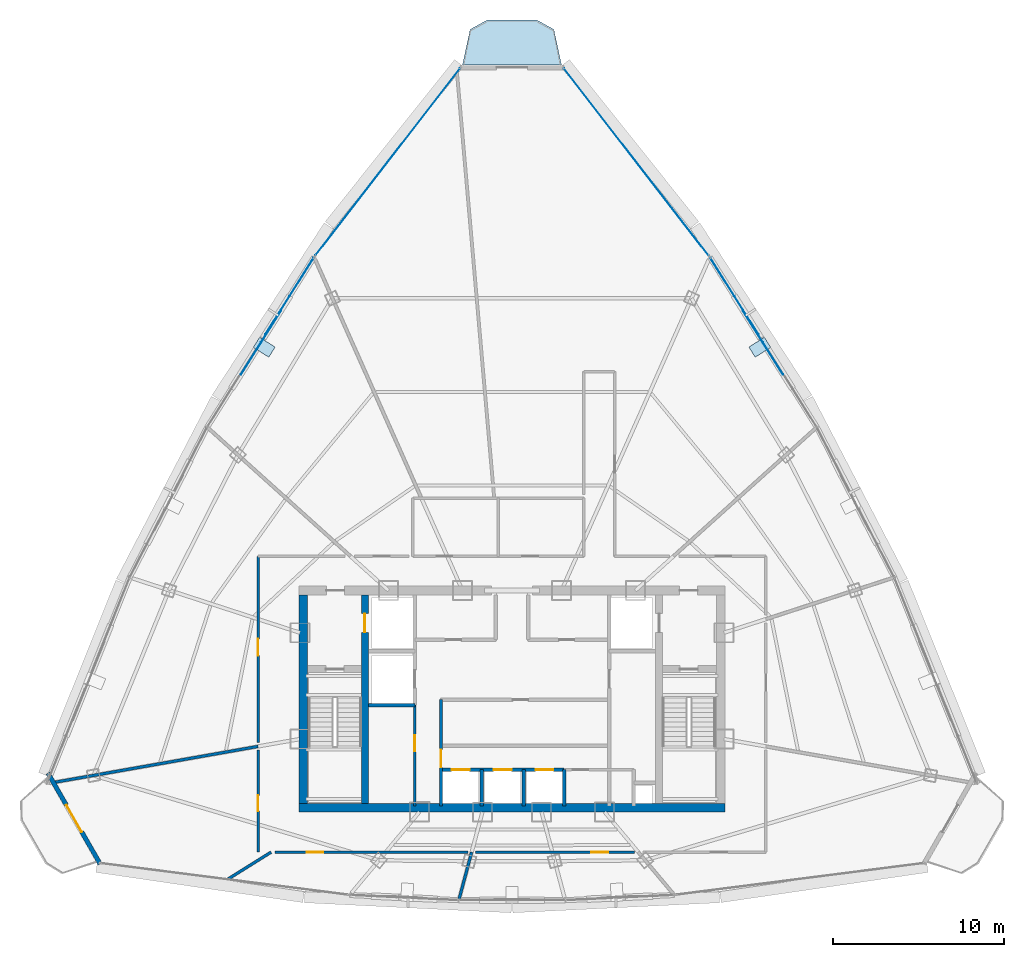
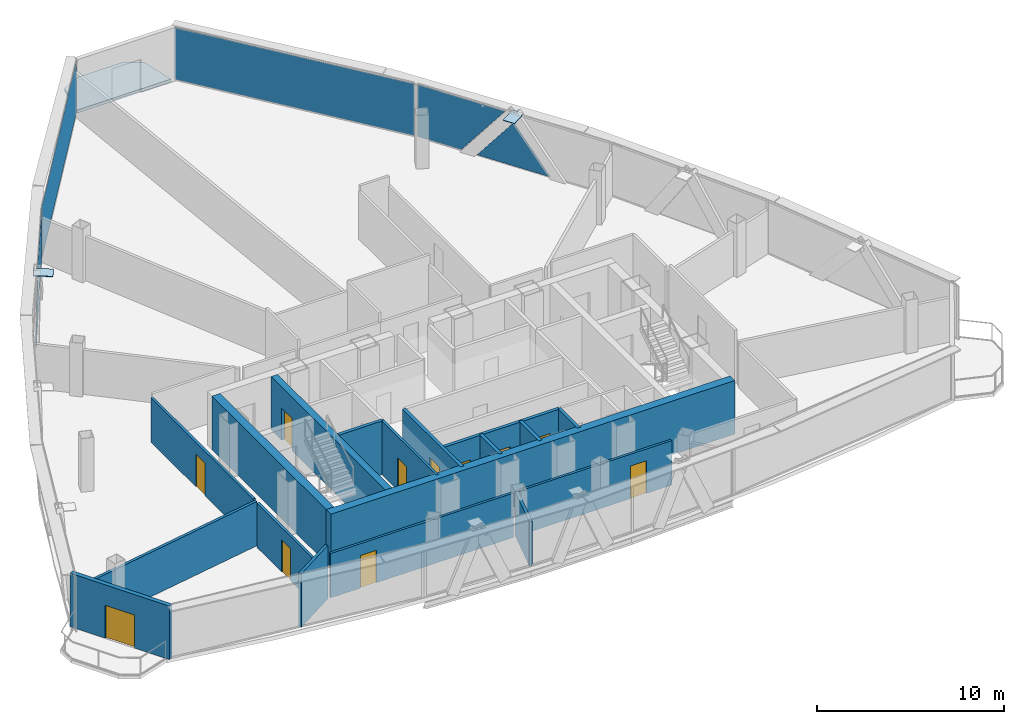
# One storey, part 25 of 30: 18 walls, 11 doors, 8 plates, 1 slab, 11 openings, 4 elements without a shape of their own.
"""IFC4 building model written with IfcOpenShell, lengths in metres."""

import ifcopenshell
import ifcopenshell.guid

model = None  # the IFC model being written
_history = None  # IfcOwnerHistory: only IFC2X3 demands one
_inside = {}  # id of a spatial element -> (the spatial element, [elements in it])
_under = {}  # id of a project, library or spatial element -> (it, [spatial elements below it])
_declared = {}  # id of a project -> (the project, [libraries it declares])
_typed = {}  # id of a type object -> (the type object, [elements of that type])
_made_of = {}  # id of a material, layer set ... -> (it, [elements and type objects made of it])


def new_model(schema):
    """Start an empty IFC model of exactly this schema.

    Asked for "IFC4X3", IfcOpenShell would pick the latest addendum, in which some entities
    have other attributes; the version numbers below select the first issue.
    IFC2X3 requires an IfcOwnerHistory on every rooted entity: one is made here for all.
    """
    global model, _history
    if schema == "IFC4X3":
        model = ifcopenshell.file(schema_version=(4, 3, 0, 0))
    else:
        model = ifcopenshell.file(schema=schema)
    _inside.clear()
    _under.clear()
    _declared.clear()
    _typed.clear()
    _made_of.clear()
    _history = None
    if model.schema == "IFC2X3":
        org = make("IfcOrganization", Name="unknown")
        user = make(
            "IfcPersonAndOrganization",
            ThePerson=make("IfcPerson", FamilyName="unknown"),
            TheOrganization=org,
        )
        app = make(
            "IfcApplication",
            ApplicationDeveloper=org,
            Version="unknown",
            ApplicationFullName="unknown",
            ApplicationIdentifier="unknown",
        )
        _history = make(
            "IfcOwnerHistory",
            OwningUser=user,
            OwningApplication=app,
            ChangeAction="ADDED",
            CreationDate=0,
        )
    return model


def make(cls, **values):
    """One entity of the class cls with the attributes given. An attribute that is None is left unset."""
    return model.create_entity(
        cls, **{name: value for name, value in values.items() if value is not None}
    )


def rooted(cls, **values):
    """An entity with a GlobalId (a new one), such as an element, a storey or a relation."""
    return make(cls, GlobalId=ifcopenshell.guid.new(), OwnerHistory=_history, **values)


def si_unit(unit_type, name, prefix=None):
    """IfcSIUnit, for example si_unit("LENGTHUNIT", "METRE", prefix="MILLI")."""
    return make("IfcSIUnit", UnitType=unit_type, Prefix=prefix, Name=name)


def assignment(units):
    """IfcUnitAssignment: the units of a project."""
    return None if units is None else make("IfcUnitAssignment", Units=units)


def point(xyz):
    """IfcCartesianPoint."""
    return None if xyz is None else make("IfcCartesianPoint", Coordinates=xyz)


def direction(xyz):
    """IfcDirection."""
    return None if xyz is None else make("IfcDirection", DirectionRatios=xyz)


def frame(location, z_axis=None, x_axis=None):
    """IfcAxis2Placement3D, a coordinate frame: its origin and axes. An axis left out is left unset."""
    return make(
        "IfcAxis2Placement3D",
        Location=point(location),
        Axis=direction(z_axis),
        RefDirection=direction(x_axis),
    )


def frame_2d(location, x_axis=None):
    """IfcAxis2Placement2D, a coordinate frame in the plane: its origin and x axis."""
    return make(
        "IfcAxis2Placement2D", Location=point(location), RefDirection=direction(x_axis)
    )


def origin():
    """The frame at (0, 0, 0) with its axes left unset."""
    return frame((0.0, 0.0, 0.0))


def origin_with_axes():
    """The frame at (0, 0, 0) with the z axis (0, 0, 1) and the x axis (1, 0, 0) written out."""
    return frame((0.0, 0.0, 0.0), z_axis=(0.0, 0.0, 1.0), x_axis=(1.0, 0.0, 0.0))


def origin_2d():
    """The frame at (0, 0) in the plane with its x axis left unset."""
    return frame_2d((0.0, 0.0))


def place(relative_to, where):
    """IfcLocalPlacement: puts the frame where relative to a parent placement (None: the world)."""
    return make(
        "IfcLocalPlacement", PlacementRelTo=relative_to, RelativePlacement=where
    )


def context(
    kind, dimensions, precision=None, world=None, true_north=None, identifier=None
):
    """IfcGeometricRepresentationContext, for example the 3D "Model" context."""
    return make(
        "IfcGeometricRepresentationContext",
        ContextIdentifier=identifier,
        ContextType=kind,
        CoordinateSpaceDimension=dimensions,
        Precision=precision,
        WorldCoordinateSystem=world,
        TrueNorth=true_north,
    )


def subcontext(parent, identifier, kind, view, scale=None):
    """IfcGeometricRepresentationSubContext, for example "Body" below "Model"."""
    return make(
        "IfcGeometricRepresentationSubContext",
        ContextIdentifier=identifier,
        ContextType=kind,
        ParentContext=parent,
        TargetScale=scale,
        TargetView=view,
    )


def project(units=None, contexts=None):
    """IfcProject with its units and contexts."""
    return rooted(
        "IfcProject",
        Name="project",
        RepresentationContexts=contexts,
        UnitsInContext=assignment(units),
    )


def spatial(cls, under=None, at=None, **own):
    """A site, building, storey or space (cls), placed at a placement, below another one or the project."""
    s = rooted(cls, ObjectPlacement=at, **own)
    if under is not None:
        _under.setdefault(under.id(), (under, []))[1].append(s)
    return s


def polyline(points):
    """IfcPolyline through the points."""
    return make("IfcPolyline", Points=[point(p) for p in points])


def profile(cls, at=None, kind="AREA", **sizes):
    """A parametric profile (cls). Its sizes go by their IFC names, for example OverallWidth=200.0."""
    return make(cls, ProfileType=kind, Position=at, **sizes)


def rectangle(**sizes):
    """IfcRectangleProfileDef."""
    return profile("IfcRectangleProfileDef", **sizes)


def outline(outer, holes=None, kind="AREA"):
    """IfcArbitraryClosedProfileDef: a profile drawn as a closed curve; with holes, ...WithVoids."""
    if holes is None:
        return make("IfcArbitraryClosedProfileDef", ProfileType=kind, OuterCurve=outer)
    return make(
        "IfcArbitraryProfileDefWithVoids",
        ProfileType=kind,
        OuterCurve=outer,
        InnerCurves=holes,
    )


def extrude(swept, where, along, depth):
    """IfcExtrudedAreaSolid: the profile swept, set in the frame where, extruded along a direction by depth."""
    return make(
        "IfcExtrudedAreaSolid",
        SweptArea=swept,
        Position=where,
        ExtrudedDirection=direction(along),
        Depth=depth,
    )


def shape(context_of_items, identifier, shape_type, items):
    """IfcShapeRepresentation: the items that make up one representation, for example the "Body"."""
    return make(
        "IfcShapeRepresentation",
        ContextOfItems=context_of_items,
        RepresentationIdentifier=identifier,
        RepresentationType=shape_type,
        Items=items,
    )


def source(mapping_origin, context_of_items, identifier, shape_type, items):
    """IfcRepresentationMap: a shape defined once, which mapped items show again and again."""
    return make(
        "IfcRepresentationMap",
        MappingOrigin=mapping_origin,
        MappedRepresentation=shape(context_of_items, identifier, shape_type, items),
    )


def transform(
    local_origin,
    x_axis=None,
    y_axis=None,
    z_axis=None,
    scale=None,
    scale2=None,
    scale3=None,
    uniform=True,
):
    """IfcCartesianTransformationOperator3D, or its non-uniform kind. x_axis, y_axis, z_axis: its Axis1, 2, 3."""
    if uniform:
        return make(
            "IfcCartesianTransformationOperator3D",
            Axis1=direction(x_axis),
            Axis2=direction(y_axis),
            LocalOrigin=point(local_origin),
            Scale=scale,
            Axis3=direction(z_axis),
        )
    return make(
        "IfcCartesianTransformationOperator3DnonUniform",
        Axis1=direction(x_axis),
        Axis2=direction(y_axis),
        LocalOrigin=point(local_origin),
        Scale=scale,
        Axis3=direction(z_axis),
        Scale2=scale2,
        Scale3=scale3,
    )


def mapped(mapping_source, mapping_target):
    """IfcMappedItem: shows the shape of a source again, moved by a transform."""
    return make(
        "IfcMappedItem", MappingSource=mapping_source, MappingTarget=mapping_target
    )


def material(Name=None, Category=None):
    """IfcMaterial."""
    return make("IfcMaterial", Name=Name, Category=Category)


def layer(
    of_material, thickness, ventilated=None, Name=None, Category=None, Priority=None
):
    """IfcMaterialLayer: one layer of a wall or slab, of a material (None: an air gap)."""
    return make(
        "IfcMaterialLayer",
        Material=of_material,
        LayerThickness=thickness,
        IsVentilated=ventilated,
        Name=Name,
        Category=Category,
        Priority=Priority,
    )


def layer_set(layers, Name=None):
    """IfcMaterialLayerSet."""
    return make("IfcMaterialLayerSet", MaterialLayers=layers, LayerSetName=Name)


def made_of(thing, what):
    """Note that an element or type object is made of a material, layer set ...; save() writes the relation."""
    if what is not None:
        _made_of.setdefault(what.id(), (what, []))[1].append(thing)
    return thing


def type_object(cls, material=None, **own):
    """A type object (cls), such as IfcWallType, which elements share."""
    return made_of(rooted(cls, **own), material)


def element(
    cls,
    number,
    at=None,
    inside=None,
    cuts=None,
    type_object=None,
    material=None,
    context=None,
    identifier="Body",
    shape_type=None,
    held_by="IfcProductDefinitionShape",
    body=None,
    shapes=None,
    **own,
):
    """One element of the class cls, such as IfcWall. Its Tag is "e" and its number.

    at: its placement. inside: the storey or other place that contains it. cuts: it is an
    opening in that element (IfcRelVoidsElement). A single representation is given by context,
    identifier, shape_type and body (its items); several are given by shapes. held_by: the class
    of the entity that holds the representations. save() writes the other relations.
    """
    e = rooted(cls, Tag="e%d" % number, ObjectPlacement=at, **own)
    if body is not None:
        shapes = [shape(context, identifier, shape_type, body)]
    if shapes is not None:
        e.Representation = make(held_by, Representations=shapes)
    if inside is not None:
        _inside.setdefault(inside.id(), (inside, []))[1].append(e)
    if cuts is not None:
        rooted(
            "IfcRelVoidsElement", RelatingBuildingElement=cuts, RelatedOpeningElement=e
        )
    if type_object is not None:
        _typed.setdefault(type_object.id(), (type_object, []))[1].append(e)
    return made_of(e, material)


def fill(opening, filler):
    """IfcRelFillsElement: the door or window that sits in an opening."""
    return rooted(
        "IfcRelFillsElement",
        RelatingOpeningElement=opening,
        RelatedBuildingElement=filler,
    )


def aggregate(whole, parts):
    """IfcRelAggregates: a whole, such as a stair, and the parts it consists of."""
    return rooted("IfcRelAggregates", RelatingObject=whole, RelatedObjects=parts)


def save(model, path):
    """Write the relations noted so far, then the file.

    IfcRelAggregates (storeys below a building ...), IfcRelContainedInSpatialStructure (elements
    in a storey), IfcRelDefinesByType, IfcRelAssociatesMaterial and IfcRelDeclares: one each for
    every whole, place, type object, material and project.
    """
    for whole, parts in _under.values():
        aggregate(whole, parts)
    for where, things in _inside.values():
        rooted(
            "IfcRelContainedInSpatialStructure",
            RelatedElements=things,
            RelatingStructure=where,
        )
    for kind, things in _typed.values():
        rooted("IfcRelDefinesByType", RelatedObjects=things, RelatingType=kind)
    for what, things in _made_of.values():
        rooted("IfcRelAssociatesMaterial", RelatedObjects=things, RelatingMaterial=what)
    for by, libraries in _declared.values():
        rooted("IfcRelDeclares", RelatingContext=by, RelatedDefinitions=libraries)
    model.write(path)


model = new_model("IFC4")

# Units and contexts
model_context = context("Model", 3, precision=1e-05, world=origin(), true_north=direction((0.0, 1.0)))
body_context = subcontext(model_context, "Body", "Model", "MODEL_VIEW")
ifc_project = project(units=[si_unit("LENGTHUNIT", "METRE"), si_unit("AREAUNIT", "SQUARE_METRE"), si_unit("VOLUMEUNIT", "CUBIC_METRE"), si_unit("PLANEANGLEUNIT", "RADIAN"), si_unit("MASSUNIT", "GRAM", prefix="KILO"), si_unit("THERMODYNAMICTEMPERATUREUNIT", "KELVIN"), si_unit("POWERUNIT", "WATT")], contexts=[model_context])

# Site, building, storey
site_placement = place(None, origin())
site = spatial("IfcSite", under=ifc_project, at=site_placement, CompositionType="ELEMENT")
building_placement = place(site_placement, origin())
building = spatial("IfcBuilding", under=site, at=building_placement, Name="Yunzhuo Pagoda Commons", CompositionType="ELEMENT")
storey_placement = place(building_placement, frame((0.0, 0.0, 355.510009765625)))
storey = spatial("IfcBuildingStorey", under=building, at=storey_placement, Name="L89", CompositionType="ELEMENT", Elevation=355.510009765625)

# Curtain wall, plates
ifc_material_1 = material(Name="Anodized aluminium 6063-T6", Category="aluminium")
ifc_layer_1 = layer(ifc_material_1, 0.139892578125)
ifc_layer_set_1 = layer_set([ifc_layer_1], Name="Anodized aluminium 6063-T6")
curtain_wall_type = type_object("IfcCurtainWallType", Name="CW-HI High-Zone Ribbon Curtain Wall", PredefinedType="NOTDEFINED", material=ifc_layer_set_1)
curtain_wall_1_placement = place(storey_placement, origin())
curtain_wall_1 = element("IfcCurtainWall", 1, at=curtain_wall_1_placement, inside=storey, type_object=curtain_wall_type, Name="L89 curtain wall CW-L89-F2B4", PredefinedType="NOTDEFINED")
ifc_material_2 = material(Name="Tempered low-e double glazing", Category="glass")
ifc_layer_2 = layer(ifc_material_2, 0.02587890625)
ifc_layer_set_2 = layer_set([ifc_layer_2], Name="Tempered low-e double glazing")
plate_type_1 = type_object("IfcPlateType", Name="CW-HI-P Low-E Double Glazing 26", PredefinedType="CURTAIN_PANEL", material=ifc_layer_set_2)
plate_1_placement = place(storey_placement, frame((62.6611328125, 54.69677734375, 1.46435546875), z_axis=(0.846524621891, 0.532349569861, 0.0), x_axis=(-0.532349569861, 0.846524621891, 0.0)))
plate_1 = element("IfcPlate", 2, at=plate_1_placement, type_object=plate_type_1, Name="CW panel 1.1 lite 2", PredefinedType="CURTAIN_PANEL", context=body_context, shape_type="SweptSolid", body=[
    extrude(outline(polyline([(-2.206787109375, -1.4091796875), (2.206787109375, -1.4091796875), (0.0, 1.4091796875), (-2.206787109375, -1.4091796875)])), origin(), (0.0, 0.0, 1.0), 0.028076171875),
])
plate_2_placement = place(storey_placement, frame((60.999267578125, 57.3955078125, 1.744873046875), z_axis=(0.846524621891, 0.532349569861, 0.0), x_axis=(-0.532349569861, 0.846524621891, 0.0)))
plate_2 = element("IfcPlate", 3, at=plate_2_placement, type_object=plate_type_1, Name="CW panel 1.1 lite 3", PredefinedType="CURTAIN_PANEL", context=body_context, shape_type="SweptSolid", body=[
    extrude(outline(polyline([(-2.643310546875, 1.68994140625), (0.003173828125, -1.68994140625), (2.643310546875, -1.68994140625), (2.643310546875, 1.68994140625), (-2.643310546875, 1.68994140625)])), origin(), (0.0, 0.0, 1.0), 0.028076171875),
])
aggregate(curtain_wall_1, [plate_1, plate_2])

curtain_wall_2_placement = place(storey_placement, origin())
curtain_wall_2 = element("IfcCurtainWall", 4, at=curtain_wall_2_placement, inside=storey, type_object=curtain_wall_type, Name="L89 curtain wall CW-L89-F3B2", PredefinedType="NOTDEFINED")
plate_3_placement = place(storey_placement, frame((35.000732421875, 57.3955078125, 1.744873046875), z_axis=(-0.846524621891, 0.532349569861, 0.0), x_axis=(-0.532349569861, -0.846524621891, 0.0)))
plate_3 = element("IfcPlate", 5, at=plate_3_placement, type_object=plate_type_1, Name="CW panel 1.1 lite 1", PredefinedType="CURTAIN_PANEL", context=body_context, shape_type="SweptSolid", body=[
    extrude(outline(polyline([(-2.643310546875, -1.68994140625), (-0.003173828125, -1.68994140625), (2.643310546875, 1.68994140625), (-2.643310546875, 1.68994140625), (-2.643310546875, -1.68994140625)])), origin(), (0.0, 0.0, 1.0), 0.028076171875),
])
plate_4_placement = place(storey_placement, frame((33.3388671875, 54.69677734375, 1.46435546875), z_axis=(-0.846524621891, 0.532349569861, 0.0), x_axis=(-0.532349569861, -0.846524621891, 0.0)))
plate_4 = element("IfcPlate", 6, at=plate_4_placement, type_object=plate_type_1, Name="CW panel 1.1 lite 2", PredefinedType="CURTAIN_PANEL", context=body_context, shape_type="SweptSolid", body=[
    extrude(outline(polyline([(-2.206787109375, -1.4091796875), (2.206787109375, -1.4091796875), (0.0, 1.4091796875), (-2.206787109375, -1.4091796875)])), origin(), (0.0, 0.0, 1.0), 0.028076171875),
])
aggregate(curtain_wall_2, [plate_3, plate_4])

# Slab
ifc_material_3 = material(Name="Concrete C40", Category="concrete")
ifc_layer_3 = layer(ifc_material_3, 0.199951171875)
ifc_layer_set_3 = layer_set([ifc_layer_3], Name="Concrete C40")
slab_type = type_object("IfcSlabType", Name="SL-BAL Vertex Balcony Deck Slab 200", PredefinedType="FLOOR", material=ifc_layer_set_3)
slab_placement = place(storey_placement, frame((0.0, 0.0, -0.199951171875)))
element("IfcSlab", 7, at=slab_placement, inside=storey, type_object=slab_type, Name="L89 corner balcony V3", PredefinedType="FLOOR", context=body_context, shape_type="SweptSolid", body=[
    extrude(outline(polyline([(50.899169921875, 70.9140625), (45.100830078125, 70.9140625), (45.55078125, 73.009033203125), (46.55029296875, 73.55908203125), (49.44970703125, 73.55908203125), (50.44921875, 73.009033203125), (50.899169921875, 70.9140625)])), origin(), (0.0, 0.0, 1.0), 0.199951171875),
])

# Plates
ifc_material_4 = material(Name="Structural steel Q355B", Category="steel")
ifc_layer_4 = layer(ifc_material_4, 0.028076171875)
ifc_layer_set_4 = layer_set([ifc_layer_4], Name="Structural steel Q355B")
plate_type_2 = type_object("IfcPlateType", Name="SP-ND1 Lattice Node Cap Plate 800x500x28", PredefinedType="USERDEFINED", material=ifc_layer_set_4)
shared_shape_1 = source(origin(), body_context, "Body", "SweptSolid", [
    extrude(rectangle(XDim=0.699951171875, YDim=1.07421875, at=origin_2d()), origin(), (0.0, 0.0, 1.0), 0.035888671875),
])
for number, where, z_axis, x_axis, name in (
    (8, (62.489990234375, 54.424072265625, 3.4521484375), (0.0, 0.0, 1.0), (-0.532344492073, 0.846527815113, 0.0), "L89 setback lattice tie plate F2.3L"),
    (9, (33.510009765625, 54.424072265625, 3.4521484375), (0.0, 0.0, 1.0), (-0.532344492073, -0.846527815113, 0.0), "L89 setback lattice tie plate F3.1L"),
):
    element("IfcPlate", number, at=place(storey_placement, frame(where, z_axis=z_axis, x_axis=x_axis)), inside=storey, type_object=plate_type_2, Name=name, ObjectType="STIFFENER_PLATE", PredefinedType="USERDEFINED", context=body_context, shape_type="MappedRepresentation", body=[
        mapped(shared_shape_1, transform((0.0, 0.0, 0.0), scale=1.0)),
    ])

# Curtain wall, plate
curtain_wall_3_placement = place(storey_placement, origin())
curtain_wall_3 = element("IfcCurtainWall", 10, at=curtain_wall_3_placement, inside=storey, type_object=curtain_wall_type, Name="L89 curtain wall CW-L89-F2B5", PredefinedType="NOTDEFINED")
shared_shape_2 = source(origin(), body_context, "Body", "SweptSolid", [
    extrude(rectangle(XDim=13.823486328125, YDim=0.028076171875, at=origin_2d()), origin(), (0.0, 0.0, 1.0), 3.3798828125),
])
plate_5_placement = place(storey_placement, frame((55.26025390625, 65.264892578125, 0.054931640625), z_axis=(0.0, 0.0, 1.0), x_axis=(-0.611910329378, 0.790927145065, 0.0)))
plate_5 = element("IfcPlate", 11, at=plate_5_placement, type_object=plate_type_1, Name="CW panel 1.1", PredefinedType="CURTAIN_PANEL", context=body_context, shape_type="MappedRepresentation", body=[
    mapped(shared_shape_2, transform((0.0, 0.0, 0.0), scale=1.0)),
])
aggregate(curtain_wall_3, [plate_5])

curtain_wall_4_placement = place(storey_placement, origin())
curtain_wall_4 = element("IfcCurtainWall", 12, at=curtain_wall_4_placement, inside=storey, type_object=curtain_wall_type, Name="L89 curtain wall CW-L89-F3B1", PredefinedType="NOTDEFINED")
plate_6_placement = place(storey_placement, frame((40.73974609375, 65.264892578125, 0.054931640625), z_axis=(0.0, 0.0, 1.0), x_axis=(-0.611910329378, -0.790927145065, 0.0)))
plate_6 = element("IfcPlate", 13, at=plate_6_placement, type_object=plate_type_1, Name="CW panel 1.1", PredefinedType="CURTAIN_PANEL", context=body_context, shape_type="MappedRepresentation", body=[
    mapped(shared_shape_2, transform((0.0, 0.0, 0.0), scale=1.0)),
])
aggregate(curtain_wall_4, [plate_6])

# Wall, opening, door
ifc_material_5 = material(Name="Precast concrete C40", Category="concrete")
ifc_layer_5 = layer(ifc_material_5, 0.260009765625)
ifc_layer_set_5 = layer_set([ifc_layer_5], Name="Precast concrete C40")
wall_type_1 = type_object("IfcWallType", Name="W-BAL1 Corner Balcony Threshold Wall 260", PredefinedType="STANDARD", material=ifc_layer_set_5)
wall_1_placement = place(storey_placement, frame((20.865478515625, 29.521240234375, 0.0), z_axis=(0.0, 0.0, 1.0), x_axis=(0.49795859982, -0.867200803082, 0.0)))
wall_1 = element("IfcWall", 14, at=wall_1_placement, inside=storey, type_object=wall_type_1, Name="L89 corner balcony wall V1", PredefinedType="STANDARD", context=body_context, shape_type="SweptSolid", body=[
    extrude(rectangle(XDim=6.12255859375, YDim=0.260009765625, at=frame_2d((3.061279296875, 0.0))), origin(), (0.0, 0.0, 1.0), 3.489990234375),
])
opening_1_placement = place(wall_1_placement, frame((2.161376953125, 0.0, 0.0)))
opening_1 = element("IfcOpeningElement", 15, at=opening_1_placement, cuts=wall_1, Name="Opening D-BAL1", PredefinedType="OPENING", context=body_context, shape_type="SweptSolid", body=[
    extrude(rectangle(XDim=1.800048828125, YDim=2.14990234375, at=frame_2d((0.89990234375, 1.074951171875))), frame((0.0, 0.14013671875, 0.0), z_axis=(0.0, -1.0, 0.0), x_axis=(1.0, 0.0, 0.0)), (0.0, 0.0, 1.0), 0.280029296875),
])
ifc_material_6 = material(Name="Anodized aluminium frame and tempered glazed leaf", Category="aluminium")
door_type_1 = type_object("IfcDoorType", Name="D-BAL1 Corner Balcony Sliding Glazed Door 1800x2150", OperationType="DOUBLE_DOOR_SLIDING", PredefinedType="DOOR", material=ifc_material_6)
shared_shape_3 = source(origin(), body_context, "Body", "SweptSolid", [
    extrude(rectangle(XDim=1.800048828125, YDim=2.14990234375, at=frame_2d((0.89990234375, 1.074951171875))), frame((0.0, 0.02490234375, 0.0), z_axis=(0.0, -1.0, 0.0), x_axis=(1.0, 0.0, 0.0)), (0.0, 0.0, 1.0), 0.050048828125),
])
door_1_placement = place(opening_1_placement, origin_with_axes())
door_1 = element("IfcDoor", 16, at=door_1_placement, inside=storey, type_object=door_type_1, Name="L89 corner balcony sliding door V1", OperationType="DOUBLE_DOOR_SLIDING", OverallHeight=2.14990234375, OverallWidth=1.800048828125, PredefinedType="DOOR", context=body_context, shape_type="MappedRepresentation", body=[
    mapped(shared_shape_3, transform((0.0, 0.0, 0.0), scale=1.0)),
])
fill(opening_1, door_1)

# Walls
ifc_material_7 = material(Name="Concrete C50", Category="concrete")
ifc_layer_6 = layer(ifc_material_7, 0.5)
ifc_layer_set_6 = layer_set([ifc_layer_6], Name="Concrete C50")
wall_type_2 = type_object("IfcWallType", Name="W-C03 Upper Core Shear Wall 500", PredefinedType="SHEAR", material=ifc_layer_set_6)
wall_2_placement = place(storey_placement, frame((35.550048828125, 27.5, 0.0), z_axis=(0.0, 0.0, 1.0), x_axis=(1.0, 0.0, 0.0)))
element("IfcWall", 17, at=wall_2_placement, inside=storey, type_object=wall_type_2, Name="L89 core shear wall S", PredefinedType="SHEAR", context=body_context, shape_type="SweptSolid", body=[
    extrude(rectangle(XDim=24.89990234375, YDim=0.5, at=frame_2d((12.449951171875, 0.0))), origin(), (0.0, 0.0, 1.0), 3.489990234375),
])
wall_3_placement = place(storey_placement, frame((35.800048828125, 27.75, 0.0), z_axis=(0.0, 0.0, 1.0), x_axis=(0.0, 1.0, 0.0)))
element("IfcWall", 18, at=wall_3_placement, inside=storey, type_object=wall_type_2, Name="L89 core shear wall W", PredefinedType="SHEAR", context=body_context, shape_type="SweptSolid", body=[
    extrude(rectangle(XDim=12.199951171875, YDim=0.5, at=frame_2d((6.10009765625, 0.0))), origin(), (0.0, 0.0, 1.0), 3.489990234375),
])

# Wall, opening, door
ifc_material_8 = material(Name="Gypsum plasterboard on acoustic stud")
ifc_layer_7 = layer(ifc_material_8, 0.14990234375)
ifc_layer_set_7 = layer_set([ifc_layer_7], Name="Gypsum plasterboard on acoustic stud")
wall_type_3 = type_object("IfcWallType", Name="W-COR3 High-Zone Rated Corridor Wall 150", PredefinedType="PARTITIONING", material=ifc_layer_set_7)
wall_4_placement = place(storey_placement, frame((42.320068359375, 27.60009765625, 0.0), z_axis=(0.0, 0.0, 1.0), x_axis=(0.0, 1.0, 0.0)))
wall_4 = element("IfcWall", 19, at=wall_4_placement, inside=storey, type_object=wall_type_3, Name="L89 interior wall IW-L89-CSWE", PredefinedType="PARTITIONING", context=body_context, shape_type="SweptSolid", body=[
    extrude(rectangle(XDim=5.89990234375, YDim=0.14990234375, at=frame_2d((2.949951171875, 0.0))), origin(), (0.0, 0.0, 1.0), 3.489990234375),
])
opening_2_placement = place(wall_4_placement, frame((3.199951171875, 0.0, 0.0)))
opening_2 = element("IfcOpeningElement", 20, at=opening_2_placement, cuts=wall_4, Name="Opening D-11", PredefinedType="OPENING", context=body_context, shape_type="SweptSolid", body=[
    extrude(rectangle(XDim=0.93994140625, YDim=2.10009765625, at=frame_2d((0.469970703125, 1.050048828125))), frame((0.0, 0.0849609375, 0.0), z_axis=(0.0, -1.0, 0.0), x_axis=(1.0, 0.0, 0.0)), (0.0, 0.0, 1.0), 0.169921875),
])
ifc_material_9 = material(Name="Galvanized fire-resisting metal leaf")
door_type_2 = type_object("IfcDoorType", Name="D-11 Accessible Washroom Fire Door 940x2100", OperationType="NOTDEFINED", PredefinedType="DOOR", material=ifc_material_9)
shared_shape_4 = source(origin(), body_context, "Body", "SweptSolid", [
    extrude(rectangle(XDim=0.93994140625, YDim=2.10009765625, at=frame_2d((0.469970703125, 1.050048828125))), frame((0.0, 0.02490234375, 0.0), z_axis=(0.0, -1.0, 0.0), x_axis=(1.0, 0.0, 0.0)), (0.0, 0.0, 1.0), 0.050048828125),
])
door_2_placement = place(opening_2_placement, origin_with_axes())
door_2 = element("IfcDoor", 21, at=door_2_placement, inside=storey, type_object=door_type_2, Name="L89 core WC door", OperationType="SINGLE_SWING_LEFT", OverallHeight=2.10009765625, OverallWidth=0.93994140625, PredefinedType="DOOR", context=body_context, shape_type="MappedRepresentation", body=[
    mapped(shared_shape_4, transform((0.0, 0.0, 0.0), scale=1.0)),
])
fill(opening_2, door_2)

wall_5_placement = place(storey_placement, frame((33.14990234375, 24.89990234375, 0.0), z_axis=(0.0, 0.0, 1.0), x_axis=(0.0, 1.0, 0.0)))
wall_5 = element("IfcWall", 22, at=wall_5_placement, inside=storey, type_object=wall_type_3, Name="L89 interior wall IW-L89-CWL01", PredefinedType="PARTITIONING", context=body_context, shape_type="SweptSolid", body=[
    extrude(rectangle(XDim=5.958251953125, YDim=0.14990234375, at=frame_2d((2.97900390625, 0.0))), origin(), (0.0, 0.0, 1.0), 2.889892578125),
])
opening_3_placement = place(wall_5_placement, frame((2.400634765625, 0.0, 0.0)))
opening_3 = element("IfcOpeningElement", 23, at=opening_3_placement, cuts=wall_5, Name="Opening D-04", PredefinedType="OPENING", context=body_context, shape_type="SweptSolid", body=[
    extrude(rectangle(XDim=0.919921875, YDim=2.10009765625, at=frame_2d((0.4599609375, 1.050048828125))), frame((0.0, 0.0849609375, 0.0), z_axis=(0.0, -1.0, 0.0), x_axis=(1.0, 0.0, 0.0)), (0.0, 0.0, 1.0), 0.169921875),
])
ifc_material_10 = material(Name="Powder-coated aluminium and timber acoustic leaf", Category="wood")
door_type_3 = type_object("IfcDoorType", Name="D-04 Bedroom & Study Interior Door 920x2100", OperationType="NOTDEFINED", PredefinedType="DOOR", material=ifc_material_10)
shared_shape_5 = source(origin(), body_context, "Body", "SweptSolid", [
    extrude(rectangle(XDim=0.919921875, YDim=2.10009765625, at=frame_2d((0.4599609375, 1.050048828125))), frame((0.0, 0.02490234375, 0.0), z_axis=(0.0, -1.0, 0.0), x_axis=(1.0, 0.0, 0.0)), (0.0, 0.0, 1.0), 0.050048828125),
])
door_3_placement = place(opening_3_placement, origin_with_axes())
door_3 = element("IfcDoor", 24, at=door_3_placement, inside=storey, type_object=door_type_3, Name="L89 seminar room 07 door", OperationType="SINGLE_SWING_LEFT", OverallHeight=2.10009765625, OverallWidth=0.919921875, PredefinedType="DOOR", context=body_context, shape_type="MappedRepresentation", body=[
    mapped(shared_shape_5, transform((0.0, 0.0, 0.0), scale=1.0)),
])
fill(opening_3, door_3)

wall_6_placement = place(storey_placement, frame((33.14990234375, 31.30126953125, 0.0), z_axis=(0.0, 0.0, 1.0), x_axis=(0.0, 1.0, 0.0)))
wall_6 = element("IfcWall", 25, at=wall_6_placement, inside=storey, type_object=wall_type_3, Name="L89 interior wall IW-L89-CWL02", PredefinedType="PARTITIONING", context=body_context, shape_type="SweptSolid", body=[
    extrude(rectangle(XDim=10.898681640625, YDim=0.14990234375, at=frame_2d((5.44921875, 0.0))), origin(), (0.0, 0.0, 1.0), 2.889892578125),
])
opening_4_placement = place(wall_6_placement, frame((5.094482421875, 0.0, 0.0)))
opening_4 = element("IfcOpeningElement", 26, at=opening_4_placement, cuts=wall_6, Name="Opening D-08", PredefinedType="OPENING", context=body_context, shape_type="SweptSolid", body=[
    extrude(rectangle(XDim=0.97998046875, YDim=2.1201171875, at=frame_2d((0.489990234375, 1.06005859375))), frame((0.0, 0.0849609375, 0.0), z_axis=(0.0, -1.0, 0.0), x_axis=(1.0, 0.0, 0.0)), (0.0, 0.0, 1.0), 0.169921875),
])
door_type_4 = type_object("IfcDoorType", Name="D-08 High-Zone Suite Entrance Fire Door 980x2120", OperationType="NOTDEFINED", PredefinedType="DOOR", material=ifc_material_9)
shared_shape_6 = source(origin(), body_context, "Body", "SweptSolid", [
    extrude(rectangle(XDim=0.97998046875, YDim=2.1201171875, at=frame_2d((0.489990234375, 1.06005859375))), frame((0.0, 0.02490234375, 0.0), z_axis=(0.0, -1.0, 0.0), x_axis=(1.0, 0.0, 0.0)), (0.0, 0.0, 1.0), 0.050048828125),
])
door_4_placement = place(opening_4_placement, origin_with_axes())
door_4 = element("IfcDoor", 27, at=door_4_placement, inside=storey, type_object=door_type_4, Name="L89 Resident Co-Living Commons Hall door", OperationType="SINGLE_SWING_RIGHT", OverallHeight=2.1201171875, OverallWidth=0.97998046875, PredefinedType="DOOR", context=body_context, shape_type="MappedRepresentation", body=[
    mapped(shared_shape_6, transform((0.0, 0.0, 0.0), scale=1.0)),
])
fill(opening_4, door_4)

wall_7_placement = place(storey_placement, frame((55.164306640625, 24.89990234375, 0.0), z_axis=(0.0, 0.0, 1.0), x_axis=(-1.0, 0.0, 0.0)))
wall_7 = element("IfcWall", 28, at=wall_7_placement, inside=storey, type_object=wall_type_3, Name="L89 interior wall IW-L89-CWL14", PredefinedType="PARTITIONING", context=body_context, shape_type="SweptSolid", body=[
    extrude(rectangle(XDim=9.302490234375, YDim=0.14990234375, at=frame_2d((4.6513671875, 0.0))), origin(), (0.0, 0.0, 1.0), 2.889892578125),
])
opening_5_placement = place(wall_7_placement, frame((1.55029296875, 0.0, 0.0)))
opening_5 = element("IfcOpeningElement", 29, at=opening_5_placement, cuts=wall_7, Name="Opening D-08", PredefinedType="OPENING", context=body_context, shape_type="SweptSolid", body=[
    extrude(rectangle(XDim=0.97998046875, YDim=2.1201171875, at=frame_2d((0.489990234375, 1.06005859375))), frame((0.0, 0.0849609375, 0.0), z_axis=(0.0, -1.0, 0.0), x_axis=(1.0, 0.0, 0.0)), (0.0, 0.0, 1.0), 0.169921875),
])
door_5_placement = place(opening_5_placement, origin_with_axes())
door_5 = element("IfcDoor", 30, at=door_5_placement, inside=storey, type_object=door_type_4, Name="L89 Academic Reading Commons 3 door", OperationType="SINGLE_SWING_LEFT", OverallHeight=2.1201171875, OverallWidth=0.97998046875, PredefinedType="DOOR", context=body_context, shape_type="MappedRepresentation", body=[
    mapped(shared_shape_6, transform((0.0, 0.0, 0.0), scale=1.0)),
])
fill(opening_5, door_5)

wall_8_placement = place(storey_placement, frame((45.414306640625, 24.89990234375, 0.0), z_axis=(0.0, 0.0, 1.0), x_axis=(-1.0, 0.0, 0.0)))
wall_8 = element("IfcWall", 31, at=wall_8_placement, inside=storey, type_object=wall_type_3, Name="L89 interior wall IW-L89-CWL15", PredefinedType="PARTITIONING", context=body_context, shape_type="SweptSolid", body=[
    extrude(rectangle(XDim=11.27734375, YDim=0.14990234375, at=frame_2d((5.638671875, 0.0))), origin(), (0.0, 0.0, 1.0), 2.889892578125),
])
opening_6_placement = place(wall_8_placement, frame((8.450439453125, 0.0, 0.0)))
opening_6 = element("IfcOpeningElement", 32, at=opening_6_placement, cuts=wall_8, Name="Opening D-08", PredefinedType="OPENING", context=body_context, shape_type="SweptSolid", body=[
    extrude(rectangle(XDim=0.97998046875, YDim=2.1201171875, at=frame_2d((0.489990234375, 1.06005859375))), frame((0.0, 0.0849609375, 0.0), z_axis=(0.0, -1.0, 0.0), x_axis=(1.0, 0.0, 0.0)), (0.0, 0.0, 1.0), 0.169921875),
])
door_6_placement = place(opening_6_placement, origin_with_axes())
door_6 = element("IfcDoor", 33, at=door_6_placement, inside=storey, type_object=door_type_4, Name="L89 Academic Reading Commons 2 door", OperationType="SINGLE_SWING_RIGHT", OverallHeight=2.1201171875, OverallWidth=0.97998046875, PredefinedType="DOOR", context=body_context, shape_type="MappedRepresentation", body=[
    mapped(shared_shape_6, transform((0.0, 0.0, 0.0), scale=1.0)),
])
fill(opening_6, door_6)

# Walls
ifc_layer_8 = layer(ifc_material_8, 0.169921875)
ifc_layer_set_8 = layer_set([ifc_layer_8], Name="Gypsum plasterboard on acoustic stud")
wall_type_4 = type_object("IfcWallType", Name="W-PRT4 High-Zone Demising Wall 170", PredefinedType="PARTITIONING", material=ifc_layer_set_8)
wall_9_placement = place(storey_placement, frame((33.14990234375, 31.08154296875, 0.0), z_axis=(0.0, 0.0, 1.0), x_axis=(-0.984808019511, -0.173646666272, 0.0)))
element("IfcWall", 34, at=wall_9_placement, inside=storey, type_object=wall_type_4, Name="L89 interior wall IW-L89-RAD06", PredefinedType="PARTITIONING", context=body_context, shape_type="SweptSolid", body=[
    extrude(rectangle(XDim=12.153076171875, YDim=0.169921875, at=frame_2d((6.07666015625, 0.0))), origin(), (0.0, 0.0, 1.0), 2.889892578125),
])
wall_10_placement = place(storey_placement, frame((33.9169921875, 24.89990234375, 0.0), z_axis=(0.0, 0.0, 1.0), x_axis=(-0.848039321644, -0.52993330613, 0.0)))
element("IfcWall", 35, at=wall_10_placement, inside=storey, type_object=wall_type_4, Name="L89 interior wall IW-L89-RAD07", PredefinedType="PARTITIONING", context=body_context, shape_type="SweptSolid", body=[
    extrude(rectangle(XDim=3.00927734375, YDim=0.169921875, at=frame_2d((1.504638671875, 0.0))), origin(), (0.0, 0.0, 1.0), 3.489990234375),
])
wall_11_placement = place(storey_placement, frame((45.64208984375, 24.89990234375, 0.0), z_axis=(0.0, 0.0, 1.0), x_axis=(-0.258857635458, -0.965915485208, 0.0)))
element("IfcWall", 36, at=wall_11_placement, inside=storey, type_object=wall_type_4, Name="L89 interior wall IW-L89-RAD08", PredefinedType="PARTITIONING", context=body_context, shape_type="SweptSolid", body=[
    extrude(rectangle(XDim=2.911376953125, YDim=0.169921875, at=frame_2d((1.45556640625, 0.0))), origin(), (0.0, 0.0, 1.0), 2.889892578125),
])

# Wall, opening, door
ifc_material_11 = material(Name="Concrete C60", Category="concrete")
ifc_layer_9 = layer(ifc_material_11, 0.39990234375)
ifc_layer_set_9 = layer_set([ifc_layer_9], Name="Concrete C60")
wall_type_5 = type_object("IfcWallType", Name="W-S01 Internal Core Shear Web 400", PredefinedType="SHEAR", material=ifc_layer_set_9)
wall_12_placement = place(storey_placement, frame((39.39990234375, 27.75, 0.0), z_axis=(0.0, 0.0, 1.0), x_axis=(0.0, 1.0, 0.0)))
wall_12 = element("IfcWall", 37, at=wall_12_placement, inside=storey, type_object=wall_type_5, Name="L89 core shear wall WEBW", PredefinedType="SHEAR", context=body_context, shape_type="SweptSolid", body=[
    extrude(rectangle(XDim=12.199951171875, YDim=0.39990234375, at=frame_2d((6.10009765625, 0.0))), origin(), (0.0, 0.0, 1.0), 3.489990234375),
])
opening_7_placement = place(wall_12_placement, frame((10.0, 0.0, 0.0)))
opening_7 = element("IfcOpeningElement", 38, at=opening_7_placement, cuts=wall_12, Name="Opening LD-01", PredefinedType="OPENING", context=body_context, shape_type="SweptSolid", body=[
    extrude(rectangle(XDim=1.10009765625, YDim=2.10009765625, at=frame_2d((0.550048828125, 1.050048828125))), frame((0.0, 0.2099609375, 0.0), z_axis=(0.0, -1.0, 0.0), x_axis=(1.0, 0.0, 0.0)), (0.0, 0.0, 1.0), 0.419921875),
])
door_type_5 = type_object("IfcDoorType", Name="LD-01 Firefighting Lift Landing Door 1100x2100", OperationType="DOUBLE_DOOR_SLIDING", PredefinedType="DOOR", material=ifc_material_9)
shared_shape_7 = source(origin(), body_context, "Body", "SweptSolid", [
    extrude(rectangle(XDim=1.10009765625, YDim=2.10009765625, at=frame_2d((0.550048828125, 1.050048828125))), frame((0.0, 0.02490234375, 0.0), z_axis=(0.0, -1.0, 0.0), x_axis=(1.0, 0.0, 0.0)), (0.0, 0.0, 1.0), 0.050048828125),
])
door_7_placement = place(opening_7_placement, frame((1.10009765625, 0.0, 0.0), z_axis=(0.0, 0.0, 1.0), x_axis=(-1.0, 0.0, 0.0)))
door_7 = element("IfcDoor", 39, at=door_7_placement, inside=storey, type_object=door_type_5, Name="L89 Firefighting lift FL-1 landing door", OperationType="DOUBLE_DOOR_SLIDING", OverallHeight=2.10009765625, OverallWidth=1.10009765625, PredefinedType="DOOR", context=body_context, shape_type="MappedRepresentation", body=[
    mapped(shared_shape_7, transform((0.0, 0.0, 0.0), scale=1.0)),
])
fill(opening_7, door_7)

# Wall
ifc_layer_10 = layer(ifc_material_3, 0.199951171875)
ifc_layer_set_10 = layer_set([ifc_layer_10], Name="Concrete C40")
wall_type_6 = type_object("IfcWallType", Name="W-SHF Shaft & Stair Enclosure Wall 200", PredefinedType="SOLIDWALL", material=ifc_layer_set_10)
wall_13_placement = place(storey_placement, frame((39.60009765625, 33.5, 0.0), z_axis=(0.0, 0.0, 1.0), x_axis=(1.0, 0.0, 0.0)))
element("IfcWall", 40, at=wall_13_placement, inside=storey, type_object=wall_type_6, Name="L89 interior wall IW-L89-SL1S", PredefinedType="SOLIDWALL", context=body_context, shape_type="SweptSolid", body=[
    extrude(rectangle(XDim=2.719970703125, YDim=0.199951171875, at=frame_2d((1.35986328125, 0.0))), origin(), (0.0, 0.0, 1.0), 3.489990234375),
])

# Wall, opening, door
wall_14_placement = place(storey_placement, frame((43.85009765625, 27.60009765625, 0.0), z_axis=(0.0, 0.0, 1.0), x_axis=(0.0, 1.0, 0.0)))
wall_14 = element("IfcWall", 41, at=wall_14_placement, inside=storey, type_object=wall_type_6, Name="L89 interior wall IW-L89-PLMW", PredefinedType="SOLIDWALL", context=body_context, shape_type="SweptSolid", body=[
    extrude(rectangle(XDim=6.219970703125, YDim=0.199951171875, at=frame_2d((3.10986328125, 0.0))), origin(), (0.0, 0.0, 1.0), 3.489990234375),
])
opening_8_placement = place(wall_14_placement, frame((2.25, 0.0, 0.0)))
opening_8 = element("IfcOpeningElement", 42, at=opening_8_placement, cuts=wall_14, Name="Opening D-02", PredefinedType="OPENING", context=body_context, shape_type="SweptSolid", body=[
    extrude(rectangle(XDim=1.050048828125, YDim=2.10009765625, at=frame_2d((0.52490234375, 1.050048828125))), frame((0.0, 0.10986328125, 0.0), z_axis=(0.0, -1.0, 0.0), x_axis=(1.0, 0.0, 0.0)), (0.0, 0.0, 1.0), 0.219970703125),
])
door_type_6 = type_object("IfcDoorType", Name="D-02 Firefighting Lobby & Refuge Fire Door 1050x2100", OperationType="NOTDEFINED", PredefinedType="DOOR", material=ifc_material_9)
shared_shape_8 = source(origin(), body_context, "Body", "SweptSolid", [
    extrude(rectangle(XDim=1.050048828125, YDim=2.10009765625, at=frame_2d((0.52490234375, 1.050048828125))), frame((0.0, 0.02490234375, 0.0), z_axis=(0.0, -1.0, 0.0), x_axis=(1.0, 0.0, 0.0)), (0.0, 0.0, 1.0), 0.050048828125),
])
door_8_placement = place(opening_8_placement, frame((1.050048828125, 0.0, 0.0), z_axis=(0.0, 0.0, 1.0), x_axis=(-1.0, 0.0, 0.0)))
door_8 = element("IfcDoor", 43, at=door_8_placement, inside=storey, type_object=door_type_6, Name="L89 High-bank hall west door", OperationType="SINGLE_SWING_LEFT", OverallHeight=2.10009765625, OverallWidth=1.050048828125, PredefinedType="DOOR", context=body_context, shape_type="MappedRepresentation", body=[
    mapped(shared_shape_8, transform((0.0, 0.0, 0.0), scale=1.0)),
])
fill(opening_8, door_8)

# Wall, openings, doors
wall_15_placement = place(storey_placement, frame((43.85009765625, 29.719970703125, 0.0), z_axis=(0.0, 0.0, 1.0), x_axis=(1.0, 0.0, 0.0)))
wall_15 = element("IfcWall", 44, at=wall_15_placement, inside=storey, type_object=wall_type_6, Name="L89 interior wall IW-L89-PLHN", PredefinedType="SOLIDWALL", context=body_context, shape_type="SweptSolid", body=[
    extrude(rectangle(XDim=7.199951171875, YDim=0.199951171875, at=frame_2d((3.60009765625, 0.0))), origin(), (0.0, 0.0, 1.0), 3.489990234375),
])
opening_9_placement = place(wall_15_placement, frame((0.625, 0.0, 0.0)))
opening_9 = element("IfcOpeningElement", 45, at=opening_9_placement, cuts=wall_15, Name="Opening LD-02", PredefinedType="OPENING", context=body_context, shape_type="SweptSolid", body=[
    extrude(rectangle(XDim=1.050048828125, YDim=2.10009765625, at=frame_2d((0.52490234375, 1.050048828125))), frame((0.0, 0.10986328125, 0.0), z_axis=(0.0, -1.0, 0.0), x_axis=(1.0, 0.0, 0.0)), (0.0, 0.0, 1.0), 0.219970703125),
])
opening_10_placement = place(wall_15_placement, frame((3.074951171875, 0.0, 0.0)))
opening_10 = element("IfcOpeningElement", 46, at=opening_10_placement, cuts=wall_15, Name="Opening LD-02", PredefinedType="OPENING", context=body_context, shape_type="SweptSolid", body=[
    extrude(rectangle(XDim=1.050048828125, YDim=2.10009765625, at=frame_2d((0.52490234375, 1.050048828125))), frame((0.0, 0.10986328125, 0.0), z_axis=(0.0, -1.0, 0.0), x_axis=(1.0, 0.0, 0.0)), (0.0, 0.0, 1.0), 0.219970703125),
])
opening_11_placement = place(wall_15_placement, frame((5.52490234375, 0.0, 0.0)))
opening_11 = element("IfcOpeningElement", 47, at=opening_11_placement, cuts=wall_15, Name="Opening LD-02", PredefinedType="OPENING", context=body_context, shape_type="SweptSolid", body=[
    extrude(rectangle(XDim=1.050048828125, YDim=2.10009765625, at=frame_2d((0.52490234375, 1.050048828125))), frame((0.0, 0.10986328125, 0.0), z_axis=(0.0, -1.0, 0.0), x_axis=(1.0, 0.0, 0.0)), (0.0, 0.0, 1.0), 0.219970703125),
])
door_type_7 = type_object("IfcDoorType", Name="LD-02 Passenger Lift Landing Door 1050x2100", OperationType="DOUBLE_DOOR_SLIDING", PredefinedType="DOOR", material=ifc_material_9)
door_9_placement = place(opening_9_placement, origin_with_axes())
door_9 = element("IfcDoor", 48, at=door_9_placement, inside=storey, type_object=door_type_7, Name="L89 Passenger lift PL-H1 landing door", OperationType="DOUBLE_DOOR_SLIDING", OverallHeight=2.10009765625, OverallWidth=1.050048828125, PredefinedType="DOOR", context=body_context, shape_type="MappedRepresentation", body=[
    mapped(shared_shape_8, transform((0.0, 0.0, 0.0), scale=1.0)),
])
fill(opening_9, door_9)
door_10_placement = place(opening_10_placement, origin_with_axes())
door_10 = element("IfcDoor", 49, at=door_10_placement, inside=storey, type_object=door_type_7, Name="L89 Passenger lift PL-H2 landing door", OperationType="DOUBLE_DOOR_SLIDING", OverallHeight=2.10009765625, OverallWidth=1.050048828125, PredefinedType="DOOR", context=body_context, shape_type="MappedRepresentation", body=[
    mapped(shared_shape_8, transform((0.0, 0.0, 0.0), scale=1.0)),
])
fill(opening_10, door_10)
door_11_placement = place(opening_11_placement, origin_with_axes())
door_11 = element("IfcDoor", 50, at=door_11_placement, inside=storey, type_object=door_type_7, Name="L89 Passenger lift PL-H3 landing door", OperationType="DOUBLE_DOOR_SLIDING", OverallHeight=2.10009765625, OverallWidth=1.050048828125, PredefinedType="DOOR", context=body_context, shape_type="MappedRepresentation", body=[
    mapped(shared_shape_8, transform((0.0, 0.0, 0.0), scale=1.0)),
])
fill(opening_11, door_11)

# Walls
for number, where, z_axis, x_axis, name in (
    (51, (51.050048828125, 27.60009765625, 0.0), (0.0, 0.0, 1.0), (0.0, 1.0, 0.0), "L89 interior wall IW-L89-PLHE"),
    (52, (46.22509765625, 27.60009765625, 0.0), (0.0, 0.0, 1.0), (0.0, 1.0, 0.0), "L89 interior wall IW-L89-PLHD1"),
    (53, (48.675048828125, 27.60009765625, 0.0), (0.0, 0.0, 1.0), (0.0, 1.0, 0.0), "L89 interior wall IW-L89-PLHD2"),
):
    element("IfcWall", number, at=place(storey_placement, frame(where, z_axis=z_axis, x_axis=x_axis)), inside=storey, type_object=wall_type_6, Name=name, PredefinedType="SOLIDWALL", context=body_context, shape_type="SweptSolid", body=[
        extrude(rectangle(XDim=2.119873046875, YDim=0.199951171875, at=frame_2d((1.06005859375, 0.0))), origin(), (0.0, 0.0, 1.0), 3.489990234375),
    ])

save(model, "model.ifc")
